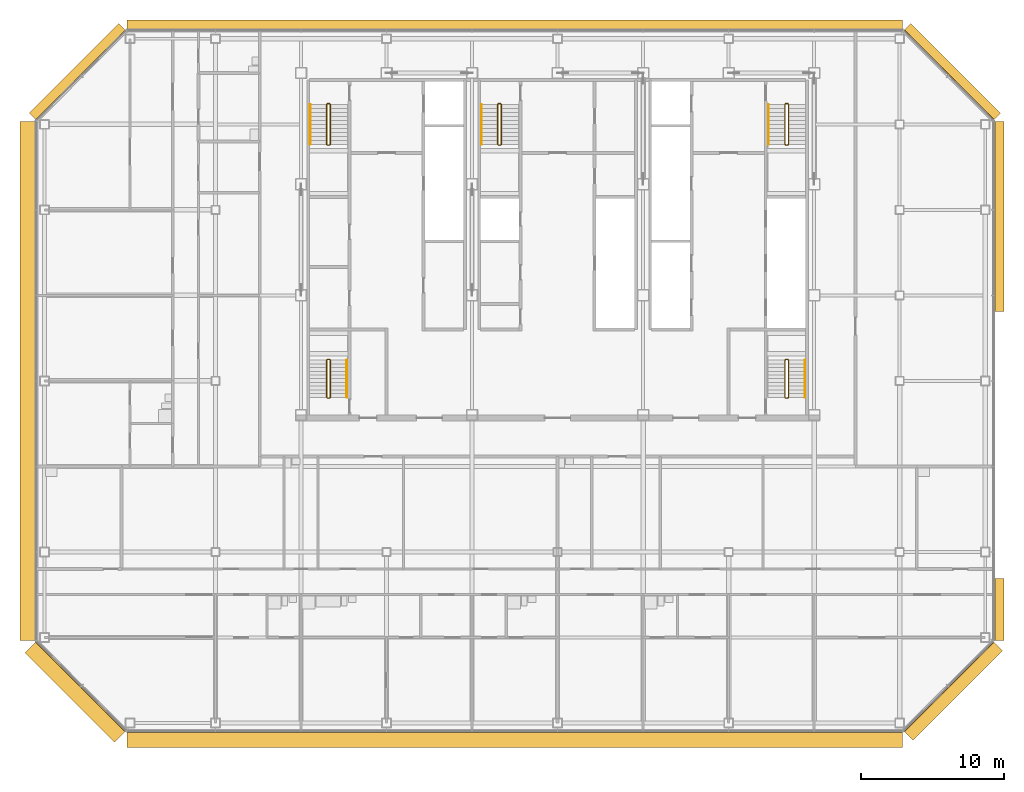
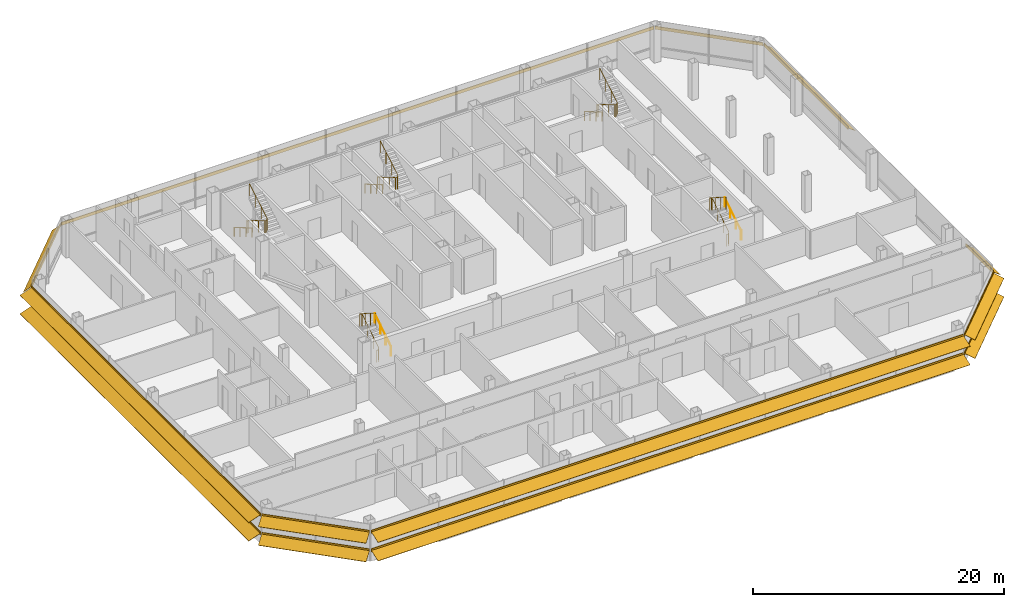
# One storey, part 26 of 27: 10 railings, 9 shading devices.
"""IFC4 building model written with IfcOpenShell, lengths in metres."""

import ifcopenshell
import ifcopenshell.guid

model = None  # the IFC model being written
_history = None  # IfcOwnerHistory: only IFC2X3 demands one
_inside = {}  # id of a spatial element -> (the spatial element, [elements in it])
_under = {}  # id of a project, library or spatial element -> (it, [spatial elements below it])
_declared = {}  # id of a project -> (the project, [libraries it declares])
_typed = {}  # id of a type object -> (the type object, [elements of that type])
_made_of = {}  # id of a material, layer set ... -> (it, [elements and type objects made of it])


def new_model(schema):
    """Start an empty IFC model of exactly this schema.

    Asked for "IFC4X3", IfcOpenShell would pick the latest addendum, in which some entities
    have other attributes; the version numbers below select the first issue.
    IFC2X3 requires an IfcOwnerHistory on every rooted entity: one is made here for all.
    """
    global model, _history
    if schema == "IFC4X3":
        model = ifcopenshell.file(schema_version=(4, 3, 0, 0))
    else:
        model = ifcopenshell.file(schema=schema)
    _inside.clear()
    _under.clear()
    _declared.clear()
    _typed.clear()
    _made_of.clear()
    _history = None
    if model.schema == "IFC2X3":
        org = make("IfcOrganization", Name="unknown")
        user = make(
            "IfcPersonAndOrganization",
            ThePerson=make("IfcPerson", FamilyName="unknown"),
            TheOrganization=org,
        )
        app = make(
            "IfcApplication",
            ApplicationDeveloper=org,
            Version="unknown",
            ApplicationFullName="unknown",
            ApplicationIdentifier="unknown",
        )
        _history = make(
            "IfcOwnerHistory",
            OwningUser=user,
            OwningApplication=app,
            ChangeAction="ADDED",
            CreationDate=0,
        )
    return model


def make(cls, **values):
    """One entity of the class cls with the attributes given. An attribute that is None is left unset."""
    return model.create_entity(
        cls, **{name: value for name, value in values.items() if value is not None}
    )


def rooted(cls, **values):
    """An entity with a GlobalId (a new one), such as an element, a storey or a relation."""
    return make(cls, GlobalId=ifcopenshell.guid.new(), OwnerHistory=_history, **values)


def si_unit(unit_type, name, prefix=None):
    """IfcSIUnit, for example si_unit("LENGTHUNIT", "METRE", prefix="MILLI")."""
    return make("IfcSIUnit", UnitType=unit_type, Prefix=prefix, Name=name)


def assignment(units):
    """IfcUnitAssignment: the units of a project."""
    return None if units is None else make("IfcUnitAssignment", Units=units)


def point(xyz):
    """IfcCartesianPoint."""
    return None if xyz is None else make("IfcCartesianPoint", Coordinates=xyz)


def direction(xyz):
    """IfcDirection."""
    return None if xyz is None else make("IfcDirection", DirectionRatios=xyz)


def frame(location, z_axis=None, x_axis=None):
    """IfcAxis2Placement3D, a coordinate frame: its origin and axes. An axis left out is left unset."""
    return make(
        "IfcAxis2Placement3D",
        Location=point(location),
        Axis=direction(z_axis),
        RefDirection=direction(x_axis),
    )


def frame_2d(location, x_axis=None):
    """IfcAxis2Placement2D, a coordinate frame in the plane: its origin and x axis."""
    return make(
        "IfcAxis2Placement2D", Location=point(location), RefDirection=direction(x_axis)
    )


def origin():
    """The frame at (0, 0, 0) with its axes left unset."""
    return frame((0.0, 0.0, 0.0))


def origin_2d():
    """The frame at (0, 0) in the plane with its x axis left unset."""
    return frame_2d((0.0, 0.0))


def place(relative_to, where):
    """IfcLocalPlacement: puts the frame where relative to a parent placement (None: the world)."""
    return make(
        "IfcLocalPlacement", PlacementRelTo=relative_to, RelativePlacement=where
    )


def context(
    kind, dimensions, precision=None, world=None, true_north=None, identifier=None
):
    """IfcGeometricRepresentationContext, for example the 3D "Model" context."""
    return make(
        "IfcGeometricRepresentationContext",
        ContextIdentifier=identifier,
        ContextType=kind,
        CoordinateSpaceDimension=dimensions,
        Precision=precision,
        WorldCoordinateSystem=world,
        TrueNorth=true_north,
    )


def subcontext(parent, identifier, kind, view, scale=None):
    """IfcGeometricRepresentationSubContext, for example "Body" below "Model"."""
    return make(
        "IfcGeometricRepresentationSubContext",
        ContextIdentifier=identifier,
        ContextType=kind,
        ParentContext=parent,
        TargetScale=scale,
        TargetView=view,
    )


def project(units=None, contexts=None):
    """IfcProject with its units and contexts."""
    return rooted(
        "IfcProject",
        Name="project",
        RepresentationContexts=contexts,
        UnitsInContext=assignment(units),
    )


def spatial(cls, under=None, at=None, **own):
    """A site, building, storey or space (cls), placed at a placement, below another one or the project."""
    s = rooted(cls, ObjectPlacement=at, **own)
    if under is not None:
        _under.setdefault(under.id(), (under, []))[1].append(s)
    return s


def polyline(points):
    """IfcPolyline through the points."""
    return make("IfcPolyline", Points=[point(p) for p in points])


def profile(cls, at=None, kind="AREA", **sizes):
    """A parametric profile (cls). Its sizes go by their IFC names, for example OverallWidth=200.0."""
    return make(cls, ProfileType=kind, Position=at, **sizes)


def circle(**sizes):
    """IfcCircleProfileDef."""
    return profile("IfcCircleProfileDef", **sizes)


def outline(outer, holes=None, kind="AREA"):
    """IfcArbitraryClosedProfileDef: a profile drawn as a closed curve; with holes, ...WithVoids."""
    if holes is None:
        return make("IfcArbitraryClosedProfileDef", ProfileType=kind, OuterCurve=outer)
    return make(
        "IfcArbitraryProfileDefWithVoids",
        ProfileType=kind,
        OuterCurve=outer,
        InnerCurves=holes,
    )


def composite_profile(profiles, kind="AREA"):
    """IfcCompositeProfileDef: several profiles as one."""
    return make("IfcCompositeProfileDef", ProfileType=kind, Profiles=profiles)


def extrude(swept, where, along, depth):
    """IfcExtrudedAreaSolid: the profile swept, set in the frame where, extruded along a direction by depth."""
    return make(
        "IfcExtrudedAreaSolid",
        SweptArea=swept,
        Position=where,
        ExtrudedDirection=direction(along),
        Depth=depth,
    )


def shape(context_of_items, identifier, shape_type, items):
    """IfcShapeRepresentation: the items that make up one representation, for example the "Body"."""
    return make(
        "IfcShapeRepresentation",
        ContextOfItems=context_of_items,
        RepresentationIdentifier=identifier,
        RepresentationType=shape_type,
        Items=items,
    )


def material(Name=None, Category=None):
    """IfcMaterial."""
    return make("IfcMaterial", Name=Name, Category=Category)


def made_of(thing, what):
    """Note that an element or type object is made of a material, layer set ...; save() writes the relation."""
    if what is not None:
        _made_of.setdefault(what.id(), (what, []))[1].append(thing)
    return thing


def type_object(cls, material=None, **own):
    """A type object (cls), such as IfcWallType, which elements share."""
    return made_of(rooted(cls, **own), material)


def element(
    cls,
    number,
    at=None,
    inside=None,
    cuts=None,
    type_object=None,
    material=None,
    context=None,
    identifier="Body",
    shape_type=None,
    held_by="IfcProductDefinitionShape",
    body=None,
    shapes=None,
    **own,
):
    """One element of the class cls, such as IfcWall. Its Tag is "e" and its number.

    at: its placement. inside: the storey or other place that contains it. cuts: it is an
    opening in that element (IfcRelVoidsElement). A single representation is given by context,
    identifier, shape_type and body (its items); several are given by shapes. held_by: the class
    of the entity that holds the representations. save() writes the other relations.
    """
    e = rooted(cls, Tag="e%d" % number, ObjectPlacement=at, **own)
    if body is not None:
        shapes = [shape(context, identifier, shape_type, body)]
    if shapes is not None:
        e.Representation = make(held_by, Representations=shapes)
    if inside is not None:
        _inside.setdefault(inside.id(), (inside, []))[1].append(e)
    if cuts is not None:
        rooted(
            "IfcRelVoidsElement", RelatingBuildingElement=cuts, RelatedOpeningElement=e
        )
    if type_object is not None:
        _typed.setdefault(type_object.id(), (type_object, []))[1].append(e)
    return made_of(e, material)


def aggregate(whole, parts):
    """IfcRelAggregates: a whole, such as a stair, and the parts it consists of."""
    return rooted("IfcRelAggregates", RelatingObject=whole, RelatedObjects=parts)


def save(model, path):
    """Write the relations noted so far, then the file.

    IfcRelAggregates (storeys below a building ...), IfcRelContainedInSpatialStructure (elements
    in a storey), IfcRelDefinesByType, IfcRelAssociatesMaterial and IfcRelDeclares: one each for
    every whole, place, type object, material and project.
    """
    for whole, parts in _under.values():
        aggregate(whole, parts)
    for where, things in _inside.values():
        rooted(
            "IfcRelContainedInSpatialStructure",
            RelatedElements=things,
            RelatingStructure=where,
        )
    for kind, things in _typed.values():
        rooted("IfcRelDefinesByType", RelatedObjects=things, RelatingType=kind)
    for what, things in _made_of.values():
        rooted("IfcRelAssociatesMaterial", RelatedObjects=things, RelatingMaterial=what)
    for by, libraries in _declared.values():
        rooted("IfcRelDeclares", RelatingContext=by, RelatedDefinitions=libraries)
    model.write(path)


model = new_model("IFC4")

# Units and contexts
model_context = context("Model", 3, precision=1e-05, world=origin(), true_north=direction((0.0, 1.0)))
body_context = subcontext(model_context, "Body", "Model", "MODEL_VIEW")
ifc_project = project(units=[si_unit("LENGTHUNIT", "METRE"), si_unit("AREAUNIT", "SQUARE_METRE"), si_unit("VOLUMEUNIT", "CUBIC_METRE"), si_unit("PLANEANGLEUNIT", "RADIAN"), si_unit("MASSUNIT", "GRAM", prefix="KILO")], contexts=[model_context])

# Site, building, storey
site_placement = place(None, origin())
site = spatial("IfcSite", under=ifc_project, at=site_placement, CompositionType="ELEMENT")
building_placement = place(site_placement, origin())
building = spatial("IfcBuilding", under=site, at=building_placement, Name="Sorahane Residences", CompositionType="ELEMENT")
storey_placement = place(building_placement, frame((0.0, 0.0, 226.199951171875)))
storey = spatial("IfcBuildingStorey", under=building, at=storey_placement, Name="L53", CompositionType="ELEMENT", Elevation=226.199951171875)

# Shading devices
ifc_material_1 = material(Name="Terracotta anodised aluminium", Category="masonry")
shading_device_type_1 = type_object("IfcShadingDeviceType", Name="Louvre sunshade blade E terracotta aluminium 700", PredefinedType="JALOUSIE", material=ifc_material_1)
shading_device_1_placement = place(storey_placement, frame((54.60009765625, 5.801513671875, 2.699951171875), z_axis=(0.0, 1.0, 0.0), x_axis=(-1.0, 0.0, 0.0)))
element("IfcShadingDevice", 1, at=shading_device_1_placement, inside=storey, type_object=shading_device_type_1, Name="Louvre sunshade blade bank E L53 E1", PredefinedType="JALOUSIE", context=body_context, shape_type="SweptSolid", body=[
    extrude(outline(polyline([(-0.719970703125, -0.49365234375), (-0.719970703125, -0.523681640625), (-0.080078125, -0.05859375), (-0.080078125, -0.14990234375), (-0.02001953125, -0.14990234375), (-0.02001953125, -0.014892578125), (-0.02001953125, 0.014892578125), (-0.02001953125, 0.14990234375), (-0.080078125, 0.14990234375), (-0.080078125, -0.028564453125), (-0.719970703125, -0.49365234375)])), origin(), (0.0, 0.0, 1.0), 4.3291015625),
])
shading_device_2_placement = place(storey_placement, frame((54.60009765625, 28.869384765625, 2.699951171875), z_axis=(0.0, 1.0, 0.0), x_axis=(-1.0, 0.0, 0.0)))
element("IfcShadingDevice", 2, at=shading_device_2_placement, inside=storey, type_object=shading_device_type_1, Name="Louvre sunshade blade bank E L53 E1 part 2", PredefinedType="JALOUSIE", context=body_context, shape_type="SweptSolid", body=[
    extrude(outline(polyline([(-0.719970703125, -0.49365234375), (-0.719970703125, -0.523681640625), (-0.080078125, -0.05859375), (-0.080078125, -0.14990234375), (-0.02001953125, -0.14990234375), (-0.02001953125, -0.014892578125), (-0.02001953125, 0.014892578125), (-0.02001953125, 0.14990234375), (-0.080078125, 0.14990234375), (-0.080078125, -0.028564453125), (-0.719970703125, -0.49365234375)])), origin(), (0.0, 0.0, 1.0), 13.3291015625),
])
ifc_material_2 = material(Name="Terracotta anodised aluminium", Category="masonry")
shading_device_type_2 = type_object("IfcShadingDeviceType", Name="Louvre sunshade blade N terracotta aluminium 700", PredefinedType="JALOUSIE", material=ifc_material_2)
shading_device_3_placement = place(storey_placement, frame((48.198486328125, 48.60009765625, 2.699951171875), z_axis=(-1.0, 0.0, 0.0), x_axis=(0.0, -1.0, 0.0)))
element("IfcShadingDevice", 3, at=shading_device_3_placement, inside=storey, type_object=shading_device_type_2, Name="Louvre sunshade blade bank N L53 N1", PredefinedType="JALOUSIE", context=body_context, shape_type="SweptSolid", body=[
    extrude(outline(polyline([(-0.719970703125, -0.660888671875), (-0.719970703125, -0.69091796875), (-0.080078125, -0.072998046875), (-0.080078125, -0.14990234375), (-0.02001953125, -0.14990234375), (-0.02001953125, -0.014892578125), (-0.02001953125, 0.014892578125), (-0.02001953125, 0.14990234375), (-0.080078125, 0.14990234375), (-0.080078125, -0.04296875), (-0.719970703125, -0.660888671875)])), origin(), (0.0, 0.0, 1.0), 54.39697265625),
])
ifc_material_3 = material(Name="Terracotta anodised aluminium", Category="masonry")
shading_device_type_3 = type_object("IfcShadingDeviceType", Name="Louvre sunshade blade NE terracotta aluminium 700", PredefinedType="JALOUSIE", material=ifc_material_3)
shading_device_4_placement = place(storey_placement, frame((54.564697265625, 42.283935546875, 2.699951171875), z_axis=(-0.707106781187, 0.707106781187, 0.0), x_axis=(-0.707106781187, -0.707106781187, 0.0)))
element("IfcShadingDevice", 4, at=shading_device_4_placement, inside=storey, type_object=shading_device_type_3, Name="Louvre sunshade blade bank NE L53 NE1", PredefinedType="JALOUSIE", context=body_context, shape_type="SweptSolid", body=[
    extrude(outline(polyline([(-0.719970703125, -0.572509765625), (-0.719970703125, -0.602294921875), (-0.080078125, -0.065185546875), (-0.080078125, -0.14990234375), (-0.02001953125, -0.14990234375), (-0.02001953125, -0.014892578125), (-0.02001953125, 0.014892578125), (-0.02001953125, 0.14990234375), (-0.080078125, 0.14990234375), (-0.080078125, -0.035400390625), (-0.719970703125, -0.572509765625)])), origin(), (0.0, 0.0, 1.0), 8.88232421875),
])
ifc_material_4 = material(Name="Terracotta anodised aluminium", Category="masonry")
shading_device_type_4 = type_object("IfcShadingDeviceType", Name="Louvre sunshade blade NW terracotta aluminium 700", PredefinedType="JALOUSIE", material=ifc_material_4)
shading_device_5_placement = place(storey_placement, frame((-6.283935546875, 48.564697265625, 2.699951171875), z_axis=(-0.707106781187, -0.707106781187, 0.0), x_axis=(0.707106781187, -0.707106781187, 0.0)))
element("IfcShadingDevice", 5, at=shading_device_5_placement, inside=storey, type_object=shading_device_type_4, Name="Louvre sunshade blade bank NW L53 NW1", PredefinedType="JALOUSIE", context=body_context, shape_type="SweptSolid", body=[
    extrude(outline(polyline([(-0.719970703125, -0.660888671875), (-0.719970703125, -0.69091796875), (-0.080078125, -0.072998046875), (-0.080078125, -0.14990234375), (-0.02001953125, -0.14990234375), (-0.02001953125, -0.014892578125), (-0.02001953125, 0.014892578125), (-0.02001953125, 0.14990234375), (-0.080078125, 0.14990234375), (-0.080078125, -0.04296875), (-0.719970703125, -0.660888671875)])), origin(), (0.0, 0.0, 1.0), 8.88232421875),
])
ifc_material_5 = material(Name="Terracotta anodised aluminium", Category="masonry")
shading_device_type_5 = type_object("IfcShadingDeviceType", Name="Louvre sunshade blade S terracotta aluminium 1100", PredefinedType="JALOUSIE", material=ifc_material_5)
shading_device_6_placement = place(storey_placement, frame((-6.198486328125, -0.60009765625, 0.900146484375), z_axis=(1.0, 0.0, 0.0), x_axis=(0.0, 1.0, 0.0)))
element("IfcShadingDevice", 6, at=shading_device_6_placement, inside=storey, type_object=shading_device_type_5, Name="Louvre sunshade blade bank S L53 S1", PredefinedType="JALOUSIE", context=body_context, shape_type="SweptSolid", body=[
    extrude(composite_profile([outline(polyline([(-1.1201171875, -0.385498046875), (-1.1201171875, -0.415283203125), (-0.080078125, -0.036865234375), (-0.080078125, -0.14990234375), (-0.02001953125, -0.14990234375), (-0.02001953125, -0.014892578125), (-0.02001953125, 0.014892578125), (-0.02001953125, 0.14990234375), (-0.080078125, 0.14990234375), (-0.080078125, -0.0068359375), (-1.1201171875, -0.385498046875)])), outline(polyline([(-1.1201171875, 1.41455078125), (-1.1201171875, 1.384521484375), (-0.080078125, 1.76318359375), (-0.080078125, 1.64990234375), (-0.02001953125, 1.64990234375), (-0.02001953125, 1.784912109375), (-0.02001953125, 1.81494140625), (-0.02001953125, 1.949951171875), (-0.080078125, 1.949951171875), (-0.080078125, 1.793212890625), (-1.1201171875, 1.41455078125)]))]), origin(), (0.0, 0.0, 1.0), 54.39697265625),
])
ifc_material_6 = material(Name="Terracotta anodised aluminium", Category="masonry")
shading_device_type_6 = type_object("IfcShadingDeviceType", Name="Louvre sunshade blade SE terracotta aluminium 900", PredefinedType="JALOUSIE", material=ifc_material_6)
shading_device_7_placement = place(storey_placement, frame((48.283935546875, -0.564697265625, 0.900146484375), z_axis=(0.707106781187, 0.707106781187, 0.0), x_axis=(-0.707106781187, 0.707106781187, 0.0)))
element("IfcShadingDevice", 7, at=shading_device_7_placement, inside=storey, type_object=shading_device_type_6, Name="Louvre sunshade blade bank SE L53 SE1", PredefinedType="JALOUSIE", context=body_context, shape_type="SweptSolid", body=[
    extrude(composite_profile([outline(polyline([(-0.919921875, -0.3486328125), (-0.919921875, -0.378662109375), (-0.080078125, -0.039306640625), (-0.080078125, -0.14990234375), (-0.02001953125, -0.14990234375), (-0.02001953125, -0.014892578125), (-0.02001953125, 0.014892578125), (-0.02001953125, 0.14990234375), (-0.080078125, 0.14990234375), (-0.080078125, -0.00927734375), (-0.919921875, -0.3486328125)])), outline(polyline([(-0.919921875, 1.451416015625), (-0.919921875, 1.42138671875), (-0.080078125, 1.7607421875), (-0.080078125, 1.64990234375), (-0.02001953125, 1.64990234375), (-0.02001953125, 1.784912109375), (-0.02001953125, 1.81494140625), (-0.02001953125, 1.949951171875), (-0.080078125, 1.949951171875), (-0.080078125, 1.790771484375), (-0.919921875, 1.451416015625)]))]), origin(), (0.0, 0.0, 1.0), 8.88232421875),
])
ifc_material_7 = material(Name="Terracotta anodised aluminium", Category="masonry")
shading_device_type_7 = type_object("IfcShadingDeviceType", Name="Louvre sunshade blade SW terracotta aluminium 1100", PredefinedType="JALOUSIE", material=ifc_material_7)
shading_device_8_placement = place(storey_placement, frame((-12.564697265625, 5.716064453125, 0.900146484375), z_axis=(0.707106781187, -0.707106781187, 0.0), x_axis=(0.707106781187, 0.707106781187, 0.0)))
element("IfcShadingDevice", 8, at=shading_device_8_placement, inside=storey, type_object=shading_device_type_7, Name="Louvre sunshade blade bank SW L53 SW1", PredefinedType="JALOUSIE", context=body_context, shape_type="SweptSolid", body=[
    extrude(composite_profile([outline(polyline([(-1.1201171875, -0.385498046875), (-1.1201171875, -0.415283203125), (-0.080078125, -0.036865234375), (-0.080078125, -0.14990234375), (-0.02001953125, -0.14990234375), (-0.02001953125, -0.014892578125), (-0.02001953125, 0.014892578125), (-0.02001953125, 0.14990234375), (-0.080078125, 0.14990234375), (-0.080078125, -0.0068359375), (-1.1201171875, -0.385498046875)])), outline(polyline([(-1.1201171875, 1.41455078125), (-1.1201171875, 1.384521484375), (-0.080078125, 1.76318359375), (-0.080078125, 1.64990234375), (-0.02001953125, 1.64990234375), (-0.02001953125, 1.784912109375), (-0.02001953125, 1.81494140625), (-0.02001953125, 1.949951171875), (-0.080078125, 1.949951171875), (-0.080078125, 1.793212890625), (-1.1201171875, 1.41455078125)]))]), origin(), (0.0, 0.0, 1.0), 8.88232421875),
])
ifc_material_8 = material(Name="Terracotta anodised aluminium", Category="masonry")
shading_device_type_8 = type_object("IfcShadingDeviceType", Name="Louvre sunshade blade W terracotta aluminium 1100", PredefinedType="JALOUSIE", material=ifc_material_8)
shading_device_9_placement = place(storey_placement, frame((-12.60009765625, 42.198486328125, 0.900146484375), z_axis=(0.0, -1.0, 0.0), x_axis=(1.0, 0.0, 0.0)))
element("IfcShadingDevice", 9, at=shading_device_9_placement, inside=storey, type_object=shading_device_type_8, Name="Louvre sunshade blade bank W L53 W1", PredefinedType="JALOUSIE", context=body_context, shape_type="SweptSolid", body=[
    extrude(composite_profile([outline(polyline([(-1.1201171875, -0.385498046875), (-1.1201171875, -0.415283203125), (-0.080078125, -0.036865234375), (-0.080078125, -0.14990234375), (-0.02001953125, -0.14990234375), (-0.02001953125, -0.014892578125), (-0.02001953125, 0.014892578125), (-0.02001953125, 0.14990234375), (-0.080078125, 0.14990234375), (-0.080078125, -0.0068359375), (-1.1201171875, -0.385498046875)])), outline(polyline([(-1.1201171875, 1.41455078125), (-1.1201171875, 1.384521484375), (-0.080078125, 1.76318359375), (-0.080078125, 1.64990234375), (-0.02001953125, 1.64990234375), (-0.02001953125, 1.784912109375), (-0.02001953125, 1.81494140625), (-0.02001953125, 1.949951171875), (-0.080078125, 1.949951171875), (-0.080078125, 1.793212890625), (-1.1201171875, 1.41455078125)]))]), origin(), (0.0, 0.0, 1.0), 36.39697265625),
])

# Railings
ifc_material_9 = material(Name="Steel Q355B", Category="steel")
railing_type_1 = type_object("IfcRailingType", Name="Stair guard 1200 Steel Q355B", PredefinedType="GUARDRAIL", material=ifc_material_9)
railing_1_placement = place(storey_placement, frame((8.0, 43.449951171875, 0.0)))
element("IfcRailing", 10, at=railing_1_placement, inside=storey, type_object=railing_type_1, Name="L53 S1 stair guard 1", PredefinedType="GUARDRAIL", context=body_context, shape_type="SweptSolid", body=[
    extrude(circle(Radius=0.02392578125, at=origin_2d()), frame((0.0, 0.0, 1.17578125), z_axis=(-1.0, 0.0, 0.0), x_axis=(0.0, -1.0, 0.0)), (0.0, 0.0, 1.0), 0.14990234375),
    extrude(circle(Radius=0.02392578125, at=origin_2d()), frame((-0.14990234375, 0.0, 1.17578125), z_axis=(-0.280808744504, -0.280808744504, 0.917765164963), x_axis=(0.707106781187, -0.707106781187, 0.0)), (0.0, 0.0, 1.0), 0.17822265625),
    extrude(circle(Radius=0.02392578125, at=origin_2d()), frame((-0.199951171875, -0.050048828125, 1.33935546875), z_axis=(0.0, -0.863341702679, 0.504619762213), x_axis=(1.0, 0.0, 0.0)), (0.0, 0.0, 1.0), 3.242919921875),
    extrude(circle(Radius=0.02392578125, at=origin_2d()), frame((-0.199951171875, -2.849853515625, 2.97607421875), z_axis=(0.707106781187, -0.707106781187, 0.0), x_axis=(0.707106781187, 0.707106781187, 0.0)), (0.0, 0.0, 1.0), 0.07080078125),
    extrude(circle(Radius=0.02392578125, at=origin_2d()), frame((-0.14990234375, -2.89990234375, 2.97607421875), z_axis=(1.0, 0.0, 0.0), x_axis=(0.0, 1.0, 0.0)), (0.0, 0.0, 1.0), 0.14990234375),
    extrude(circle(Radius=0.02392578125, at=origin_2d()), frame((0.0, -2.89990234375, 2.97607421875), z_axis=(0.280808744504, 0.280808744504, 0.917765164963), x_axis=(-0.707106781187, 0.707106781187, 0.0)), (0.0, 0.0, 1.0), 0.17822265625),
    extrude(circle(Radius=0.02392578125, at=origin_2d()), frame((0.050048828125, -2.849853515625, 3.1396484375), z_axis=(0.0, 0.863341702679, 0.504619762213), x_axis=(-1.0, 0.0, 0.0)), (0.0, 0.0, 1.0), 3.242919921875),
    extrude(circle(Radius=0.02099609375, at=origin_2d()), origin(), (0.0, 0.0, 1.0), 1.15185546875),
    extrude(circle(Radius=0.02099609375, at=origin_2d()), frame((-0.14990234375, 0.0, 0.0)), (0.0, 0.0, 1.0), 1.15185546875),
    extrude(circle(Radius=0.02099609375, at=origin_2d()), frame((-0.199951171875, -0.050048828125, 0.16357421875)), (0.0, 0.0, 1.0), 1.15185546875),
    extrude(circle(Radius=0.02099609375, at=origin_2d()), frame((-0.199951171875, -0.9833984375, 0.708984375)), (0.0, 0.0, 1.0), 1.15185546875),
    extrude(circle(Radius=0.02099609375, at=origin_2d()), frame((-0.199951171875, -1.91650390625, 1.254638671875)), (0.0, 0.0, 1.0), 1.15185546875),
    extrude(circle(Radius=0.02099609375, at=origin_2d()), frame((-0.199951171875, -2.849853515625, 1.800048828125)), (0.0, 0.0, 1.0), 1.15185546875),
    extrude(circle(Radius=0.02099609375, at=origin_2d()), frame((-0.14990234375, -2.89990234375, 1.800048828125)), (0.0, 0.0, 1.0), 1.15185546875),
    extrude(circle(Radius=0.02099609375, at=origin_2d()), frame((0.0, -2.89990234375, 1.800048828125)), (0.0, 0.0, 1.0), 1.15185546875),
    extrude(circle(Radius=0.02099609375, at=origin_2d()), frame((0.050048828125, -2.849853515625, 1.963623046875)), (0.0, 0.0, 1.0), 1.15185546875),
    extrude(circle(Radius=0.02099609375, at=origin_2d()), frame((0.050048828125, -1.91650390625, 2.509033203125)), (0.0, 0.0, 1.0), 1.15185546875),
    extrude(circle(Radius=0.02099609375, at=origin_2d()), frame((0.050048828125, -0.9833984375, 3.0546875)), (0.0, 0.0, 1.0), 1.15185546875),
    extrude(circle(Radius=0.02099609375, at=origin_2d()), frame((0.050048828125, -0.050048828125, 3.60009765625)), (0.0, 0.0, 1.0), 1.15185546875),
])
railing_2_placement = place(storey_placement, frame((40.14990234375, 43.449951171875, 0.0)))
element("IfcRailing", 11, at=railing_2_placement, inside=storey, type_object=railing_type_1, Name="L53 S2 stair guard 1", PredefinedType="GUARDRAIL", context=body_context, shape_type="SweptSolid", body=[
    extrude(circle(Radius=0.02392578125, at=origin_2d()), frame((0.0, 0.0, 1.17578125), z_axis=(-1.0, 0.0, 0.0), x_axis=(0.0, -1.0, 0.0)), (0.0, 0.0, 1.0), 0.14990234375),
    extrude(circle(Radius=0.02392578125, at=origin_2d()), frame((-0.14990234375, 0.0, 1.17578125), z_axis=(-0.280808744504, -0.280808744504, 0.917765164963), x_axis=(0.707106781187, -0.707106781187, 0.0)), (0.0, 0.0, 1.0), 0.17822265625),
    extrude(circle(Radius=0.02392578125, at=origin_2d()), frame((-0.199951171875, -0.050048828125, 1.33935546875), z_axis=(0.0, -0.863341702679, 0.504619762213), x_axis=(1.0, 0.0, 0.0)), (0.0, 0.0, 1.0), 3.242919921875),
    extrude(circle(Radius=0.02392578125, at=origin_2d()), frame((-0.199951171875, -2.849853515625, 2.97607421875), z_axis=(0.707106781187, -0.707106781187, 0.0), x_axis=(0.707106781187, 0.707106781187, 0.0)), (0.0, 0.0, 1.0), 0.07080078125),
    extrude(circle(Radius=0.02392578125, at=origin_2d()), frame((-0.14990234375, -2.89990234375, 2.97607421875), z_axis=(1.0, 0.0, 0.0), x_axis=(0.0, 1.0, 0.0)), (0.0, 0.0, 1.0), 0.14990234375),
    extrude(circle(Radius=0.02392578125, at=origin_2d()), frame((0.0, -2.89990234375, 2.97607421875), z_axis=(0.280808744504, 0.280808744504, 0.917765164963), x_axis=(-0.707106781187, 0.707106781187, 0.0)), (0.0, 0.0, 1.0), 0.17822265625),
    extrude(circle(Radius=0.02392578125, at=origin_2d()), frame((0.050048828125, -2.849853515625, 3.1396484375), z_axis=(0.0, 0.863341702679, 0.504619762213), x_axis=(-1.0, 0.0, 0.0)), (0.0, 0.0, 1.0), 3.242919921875),
    extrude(circle(Radius=0.02099609375, at=origin_2d()), origin(), (0.0, 0.0, 1.0), 1.15185546875),
    extrude(circle(Radius=0.02099609375, at=origin_2d()), frame((-0.14990234375, 0.0, 0.0)), (0.0, 0.0, 1.0), 1.15185546875),
    extrude(circle(Radius=0.02099609375, at=origin_2d()), frame((-0.199951171875, -0.050048828125, 0.16357421875)), (0.0, 0.0, 1.0), 1.15185546875),
    extrude(circle(Radius=0.02099609375, at=origin_2d()), frame((-0.199951171875, -0.9833984375, 0.708984375)), (0.0, 0.0, 1.0), 1.15185546875),
    extrude(circle(Radius=0.02099609375, at=origin_2d()), frame((-0.199951171875, -1.91650390625, 1.254638671875)), (0.0, 0.0, 1.0), 1.15185546875),
    extrude(circle(Radius=0.02099609375, at=origin_2d()), frame((-0.199951171875, -2.849853515625, 1.800048828125)), (0.0, 0.0, 1.0), 1.15185546875),
    extrude(circle(Radius=0.02099609375, at=origin_2d()), frame((-0.14990234375, -2.89990234375, 1.800048828125)), (0.0, 0.0, 1.0), 1.15185546875),
    extrude(circle(Radius=0.02099609375, at=origin_2d()), frame((0.0, -2.89990234375, 1.800048828125)), (0.0, 0.0, 1.0), 1.15185546875),
    extrude(circle(Radius=0.02099609375, at=origin_2d()), frame((0.050048828125, -2.849853515625, 1.963623046875)), (0.0, 0.0, 1.0), 1.15185546875),
    extrude(circle(Radius=0.02099609375, at=origin_2d()), frame((0.050048828125, -1.91650390625, 2.509033203125)), (0.0, 0.0, 1.0), 1.15185546875),
    extrude(circle(Radius=0.02099609375, at=origin_2d()), frame((0.050048828125, -0.9833984375, 3.0546875)), (0.0, 0.0, 1.0), 1.15185546875),
    extrude(circle(Radius=0.02099609375, at=origin_2d()), frame((0.050048828125, -0.050048828125, 3.60009765625)), (0.0, 0.0, 1.0), 1.15185546875),
])
railing_3_placement = place(storey_placement, frame((20.0, 43.449951171875, 0.0)))
element("IfcRailing", 12, at=railing_3_placement, inside=storey, type_object=railing_type_1, Name="L53 S3 stair guard 1", PredefinedType="GUARDRAIL", context=body_context, shape_type="SweptSolid", body=[
    extrude(circle(Radius=0.02392578125, at=origin_2d()), frame((0.0, 0.0, 1.17578125), z_axis=(-1.0, 0.0, 0.0), x_axis=(0.0, -1.0, 0.0)), (0.0, 0.0, 1.0), 0.14990234375),
    extrude(circle(Radius=0.02392578125, at=origin_2d()), frame((-0.14990234375, 0.0, 1.17578125), z_axis=(-0.280808744504, -0.280808744504, 0.917765164963), x_axis=(0.707106781187, -0.707106781187, 0.0)), (0.0, 0.0, 1.0), 0.17822265625),
    extrude(circle(Radius=0.02392578125, at=origin_2d()), frame((-0.199951171875, -0.050048828125, 1.33935546875), z_axis=(0.0, -0.863341702679, 0.504619762213), x_axis=(1.0, 0.0, 0.0)), (0.0, 0.0, 1.0), 3.242919921875),
    extrude(circle(Radius=0.02392578125, at=origin_2d()), frame((-0.199951171875, -2.849853515625, 2.97607421875), z_axis=(0.707106781187, -0.707106781187, 0.0), x_axis=(0.707106781187, 0.707106781187, 0.0)), (0.0, 0.0, 1.0), 0.07080078125),
    extrude(circle(Radius=0.02392578125, at=origin_2d()), frame((-0.14990234375, -2.89990234375, 2.97607421875), z_axis=(1.0, 0.0, 0.0), x_axis=(0.0, 1.0, 0.0)), (0.0, 0.0, 1.0), 0.14990234375),
    extrude(circle(Radius=0.02392578125, at=origin_2d()), frame((0.0, -2.89990234375, 2.97607421875), z_axis=(0.280808744504, 0.280808744504, 0.917765164963), x_axis=(-0.707106781187, 0.707106781187, 0.0)), (0.0, 0.0, 1.0), 0.17822265625),
    extrude(circle(Radius=0.02392578125, at=origin_2d()), frame((0.050048828125, -2.849853515625, 3.1396484375), z_axis=(0.0, 0.863341702679, 0.504619762213), x_axis=(-1.0, 0.0, 0.0)), (0.0, 0.0, 1.0), 3.242919921875),
    extrude(circle(Radius=0.02099609375, at=origin_2d()), origin(), (0.0, 0.0, 1.0), 1.15185546875),
    extrude(circle(Radius=0.02099609375, at=origin_2d()), frame((-0.14990234375, 0.0, 0.0)), (0.0, 0.0, 1.0), 1.15185546875),
    extrude(circle(Radius=0.02099609375, at=origin_2d()), frame((-0.199951171875, -0.050048828125, 0.16357421875)), (0.0, 0.0, 1.0), 1.15185546875),
    extrude(circle(Radius=0.02099609375, at=origin_2d()), frame((-0.199951171875, -0.9833984375, 0.708984375)), (0.0, 0.0, 1.0), 1.15185546875),
    extrude(circle(Radius=0.02099609375, at=origin_2d()), frame((-0.199951171875, -1.91650390625, 1.254638671875)), (0.0, 0.0, 1.0), 1.15185546875),
    extrude(circle(Radius=0.02099609375, at=origin_2d()), frame((-0.199951171875, -2.849853515625, 1.800048828125)), (0.0, 0.0, 1.0), 1.15185546875),
    extrude(circle(Radius=0.02099609375, at=origin_2d()), frame((-0.14990234375, -2.89990234375, 1.800048828125)), (0.0, 0.0, 1.0), 1.15185546875),
    extrude(circle(Radius=0.02099609375, at=origin_2d()), frame((0.0, -2.89990234375, 1.800048828125)), (0.0, 0.0, 1.0), 1.15185546875),
    extrude(circle(Radius=0.02099609375, at=origin_2d()), frame((0.050048828125, -2.849853515625, 1.963623046875)), (0.0, 0.0, 1.0), 1.15185546875),
    extrude(circle(Radius=0.02099609375, at=origin_2d()), frame((0.050048828125, -1.91650390625, 2.509033203125)), (0.0, 0.0, 1.0), 1.15185546875),
    extrude(circle(Radius=0.02099609375, at=origin_2d()), frame((0.050048828125, -0.9833984375, 3.0546875)), (0.0, 0.0, 1.0), 1.15185546875),
    extrude(circle(Radius=0.02099609375, at=origin_2d()), frame((0.050048828125, -0.050048828125, 3.60009765625)), (0.0, 0.0, 1.0), 1.15185546875),
])
railing_4_placement = place(storey_placement, frame((7.85009765625, 22.800048828125, 0.0)))
element("IfcRailing", 13, at=railing_4_placement, inside=storey, type_object=railing_type_1, Name="L53 S4 stair guard 1", PredefinedType="GUARDRAIL", context=body_context, shape_type="SweptSolid", body=[
    extrude(circle(Radius=0.02392578125, at=origin_2d()), frame((0.0, 0.0, 1.17578125), z_axis=(1.0, 0.0, 0.0), x_axis=(0.0, 1.0, 0.0)), (0.0, 0.0, 1.0), 0.14990234375),
    extrude(circle(Radius=0.02392578125, at=origin_2d()), frame((0.14990234375, 0.0, 1.17578125), z_axis=(0.280808744504, 0.280808744504, 0.917765164963), x_axis=(-0.707106781187, 0.707106781187, 0.0)), (0.0, 0.0, 1.0), 0.17822265625),
    extrude(circle(Radius=0.02392578125, at=origin_2d()), frame((0.199951171875, 0.050048828125, 1.33935546875), z_axis=(0.0, 0.846301844409, 0.532703658848), x_axis=(-1.0, 0.0, 0.0)), (0.0, 0.0, 1.0), 3.072021484375),
    extrude(circle(Radius=0.02392578125, at=origin_2d()), frame((0.199951171875, 2.64990234375, 2.97607421875), z_axis=(-0.707106781187, 0.707106781187, 0.0), x_axis=(-0.707106781187, -0.707106781187, 0.0)), (0.0, 0.0, 1.0), 0.07080078125),
    extrude(circle(Radius=0.02392578125, at=origin_2d()), frame((0.14990234375, 2.699951171875, 2.97607421875), z_axis=(-1.0, 0.0, 0.0), x_axis=(0.0, -1.0, 0.0)), (0.0, 0.0, 1.0), 0.14990234375),
    extrude(circle(Radius=0.02392578125, at=origin_2d()), frame((0.0, 2.699951171875, 2.97607421875), z_axis=(-0.280808744504, -0.280808744504, 0.917765164963), x_axis=(0.707106781187, -0.707106781187, 0.0)), (0.0, 0.0, 1.0), 0.17822265625),
    extrude(circle(Radius=0.02392578125, at=origin_2d()), frame((-0.050048828125, 2.64990234375, 3.1396484375), z_axis=(0.0, -0.846301844409, 0.532703658848), x_axis=(1.0, 0.0, 0.0)), (0.0, 0.0, 1.0), 3.072021484375),
    extrude(circle(Radius=0.02099609375, at=origin_2d()), origin(), (0.0, 0.0, 1.0), 1.15185546875),
    extrude(circle(Radius=0.02099609375, at=origin_2d()), frame((0.14990234375, 0.0, 0.0)), (0.0, 0.0, 1.0), 1.15185546875),
    extrude(circle(Radius=0.02099609375, at=origin_2d()), frame((0.199951171875, 0.050048828125, 0.16357421875)), (0.0, 0.0, 1.0), 1.15185546875),
    extrude(circle(Radius=0.02099609375, at=origin_2d()), frame((0.199951171875, 0.916748046875, 0.708984375)), (0.0, 0.0, 1.0), 1.15185546875),
    extrude(circle(Radius=0.02099609375, at=origin_2d()), frame((0.199951171875, 1.783203125, 1.254638671875)), (0.0, 0.0, 1.0), 1.15185546875),
    extrude(circle(Radius=0.02099609375, at=origin_2d()), frame((0.199951171875, 2.64990234375, 1.800048828125)), (0.0, 0.0, 1.0), 1.15185546875),
    extrude(circle(Radius=0.02099609375, at=origin_2d()), frame((0.14990234375, 2.699951171875, 1.800048828125)), (0.0, 0.0, 1.0), 1.15185546875),
    extrude(circle(Radius=0.02099609375, at=origin_2d()), frame((0.0, 2.699951171875, 1.800048828125)), (0.0, 0.0, 1.0), 1.15185546875),
    extrude(circle(Radius=0.02099609375, at=origin_2d()), frame((-0.050048828125, 2.64990234375, 1.963623046875)), (0.0, 0.0, 1.0), 1.15185546875),
    extrude(circle(Radius=0.02099609375, at=origin_2d()), frame((-0.050048828125, 1.783203125, 2.509033203125)), (0.0, 0.0, 1.0), 1.15185546875),
    extrude(circle(Radius=0.02099609375, at=origin_2d()), frame((-0.050048828125, 0.916748046875, 3.0546875)), (0.0, 0.0, 1.0), 1.15185546875),
    extrude(circle(Radius=0.02099609375, at=origin_2d()), frame((-0.050048828125, 0.050048828125, 3.60009765625)), (0.0, 0.0, 1.0), 1.15185546875),
])
railing_5_placement = place(storey_placement, frame((40.0, 22.800048828125, 0.0)))
element("IfcRailing", 14, at=railing_5_placement, inside=storey, type_object=railing_type_1, Name="L53 S5 stair guard 1", PredefinedType="GUARDRAIL", context=body_context, shape_type="SweptSolid", body=[
    extrude(circle(Radius=0.02392578125, at=origin_2d()), frame((0.0, 0.0, 1.17578125), z_axis=(1.0, 0.0, 0.0), x_axis=(0.0, 1.0, 0.0)), (0.0, 0.0, 1.0), 0.14990234375),
    extrude(circle(Radius=0.02392578125, at=origin_2d()), frame((0.14990234375, 0.0, 1.17578125), z_axis=(0.280808744504, 0.280808744504, 0.917765164963), x_axis=(-0.707106781187, 0.707106781187, 0.0)), (0.0, 0.0, 1.0), 0.17822265625),
    extrude(circle(Radius=0.02392578125, at=origin_2d()), frame((0.199951171875, 0.050048828125, 1.33935546875), z_axis=(0.0, 0.846301844409, 0.532703658848), x_axis=(-1.0, 0.0, 0.0)), (0.0, 0.0, 1.0), 3.072021484375),
    extrude(circle(Radius=0.02392578125, at=origin_2d()), frame((0.199951171875, 2.64990234375, 2.97607421875), z_axis=(-0.707106781187, 0.707106781187, 0.0), x_axis=(-0.707106781187, -0.707106781187, 0.0)), (0.0, 0.0, 1.0), 0.07080078125),
    extrude(circle(Radius=0.02392578125, at=origin_2d()), frame((0.14990234375, 2.699951171875, 2.97607421875), z_axis=(-1.0, 0.0, 0.0), x_axis=(0.0, -1.0, 0.0)), (0.0, 0.0, 1.0), 0.14990234375),
    extrude(circle(Radius=0.02392578125, at=origin_2d()), frame((0.0, 2.699951171875, 2.97607421875), z_axis=(-0.280808744504, -0.280808744504, 0.917765164963), x_axis=(0.707106781187, -0.707106781187, 0.0)), (0.0, 0.0, 1.0), 0.17822265625),
    extrude(circle(Radius=0.02392578125, at=origin_2d()), frame((-0.050048828125, 2.64990234375, 3.1396484375), z_axis=(0.0, -0.846301844409, 0.532703658848), x_axis=(1.0, 0.0, 0.0)), (0.0, 0.0, 1.0), 3.072021484375),
    extrude(circle(Radius=0.02099609375, at=origin_2d()), origin(), (0.0, 0.0, 1.0), 1.15185546875),
    extrude(circle(Radius=0.02099609375, at=origin_2d()), frame((0.14990234375, 0.0, 0.0)), (0.0, 0.0, 1.0), 1.15185546875),
    extrude(circle(Radius=0.02099609375, at=origin_2d()), frame((0.199951171875, 0.050048828125, 0.16357421875)), (0.0, 0.0, 1.0), 1.15185546875),
    extrude(circle(Radius=0.02099609375, at=origin_2d()), frame((0.199951171875, 0.916748046875, 0.708984375)), (0.0, 0.0, 1.0), 1.15185546875),
    extrude(circle(Radius=0.02099609375, at=origin_2d()), frame((0.199951171875, 1.783203125, 1.254638671875)), (0.0, 0.0, 1.0), 1.15185546875),
    extrude(circle(Radius=0.02099609375, at=origin_2d()), frame((0.199951171875, 2.64990234375, 1.800048828125)), (0.0, 0.0, 1.0), 1.15185546875),
    extrude(circle(Radius=0.02099609375, at=origin_2d()), frame((0.14990234375, 2.699951171875, 1.800048828125)), (0.0, 0.0, 1.0), 1.15185546875),
    extrude(circle(Radius=0.02099609375, at=origin_2d()), frame((0.0, 2.699951171875, 1.800048828125)), (0.0, 0.0, 1.0), 1.15185546875),
    extrude(circle(Radius=0.02099609375, at=origin_2d()), frame((-0.050048828125, 2.64990234375, 1.963623046875)), (0.0, 0.0, 1.0), 1.15185546875),
    extrude(circle(Radius=0.02099609375, at=origin_2d()), frame((-0.050048828125, 1.783203125, 2.509033203125)), (0.0, 0.0, 1.0), 1.15185546875),
    extrude(circle(Radius=0.02099609375, at=origin_2d()), frame((-0.050048828125, 0.916748046875, 3.0546875)), (0.0, 0.0, 1.0), 1.15185546875),
    extrude(circle(Radius=0.02099609375, at=origin_2d()), frame((-0.050048828125, 0.050048828125, 3.60009765625)), (0.0, 0.0, 1.0), 1.15185546875),
])
ifc_material_10 = material(Name="Steel Q355B", Category="steel")
railing_type_2 = type_object("IfcRailingType", Name="Stair handrail 900 Steel Q355B", PredefinedType="HANDRAIL", material=ifc_material_10)
for number, where, name in (
    (15, (6.64990234375, 43.39990234375, 0.16357421875), "L53 S1 stair handrail 1"),
    (16, (38.800048828125, 43.39990234375, 0.16357421875), "L53 S2 stair handrail 1"),
    (17, (18.64990234375, 43.39990234375, 0.16357421875), "L53 S3 stair handrail 1"),
):
    element("IfcRailing", number, at=place(storey_placement, frame(where)), inside=storey, type_object=railing_type_2, Name=name, PredefinedType="HANDRAIL", context=body_context, shape_type="SweptSolid", body=[
        extrude(circle(Radius=0.02392578125, at=origin_2d()), frame((0.0, 0.0, 0.8759765625), z_axis=(0.0, -0.863341702679, 0.504619762213), x_axis=(1.0, 0.0, 0.0)), (0.0, 0.0, 1.0), 3.242919921875),
        extrude(circle(Radius=0.02099609375, at=origin_2d()), origin(), (0.0, 0.0, 1.0), 0.851806640625),
        extrude(circle(Radius=0.02099609375, at=origin_2d()), frame((0.0, -0.933349609375, 0.54541015625)), (0.0, 0.0, 1.0), 0.851806640625),
        extrude(circle(Radius=0.02099609375, at=origin_2d()), frame((0.0, -1.866455078125, 1.091064453125)), (0.0, 0.0, 1.0), 0.851806640625),
        extrude(circle(Radius=0.02099609375, at=origin_2d()), frame((0.0, -2.7998046875, 1.636474609375)), (0.0, 0.0, 1.0), 0.851806640625),
    ])
for number, where, name in (
    (18, (9.199951171875, 22.85009765625, 0.16357421875), "L53 S4 stair handrail 1"),
    (19, (41.35009765625, 22.85009765625, 0.16357421875), "L53 S5 stair handrail 1"),
):
    element("IfcRailing", number, at=place(storey_placement, frame(where)), inside=storey, type_object=railing_type_2, Name=name, PredefinedType="HANDRAIL", context=body_context, shape_type="SweptSolid", body=[
        extrude(circle(Radius=0.02392578125, at=origin_2d()), frame((0.0, 0.0, 0.8759765625), z_axis=(0.0, 0.846301844409, 0.532703658848), x_axis=(-1.0, 0.0, 0.0)), (0.0, 0.0, 1.0), 3.072021484375),
        extrude(circle(Radius=0.02099609375, at=origin_2d()), origin(), (0.0, 0.0, 1.0), 0.851806640625),
        extrude(circle(Radius=0.02099609375, at=origin_2d()), frame((0.0, 0.86669921875, 0.54541015625)), (0.0, 0.0, 1.0), 0.851806640625),
        extrude(circle(Radius=0.02099609375, at=origin_2d()), frame((0.0, 1.733154296875, 1.091064453125)), (0.0, 0.0, 1.0), 0.851806640625),
        extrude(circle(Radius=0.02099609375, at=origin_2d()), frame((0.0, 2.599853515625, 1.636474609375)), (0.0, 0.0, 1.0), 0.851806640625),
    ])

save(model, "model.ifc")
